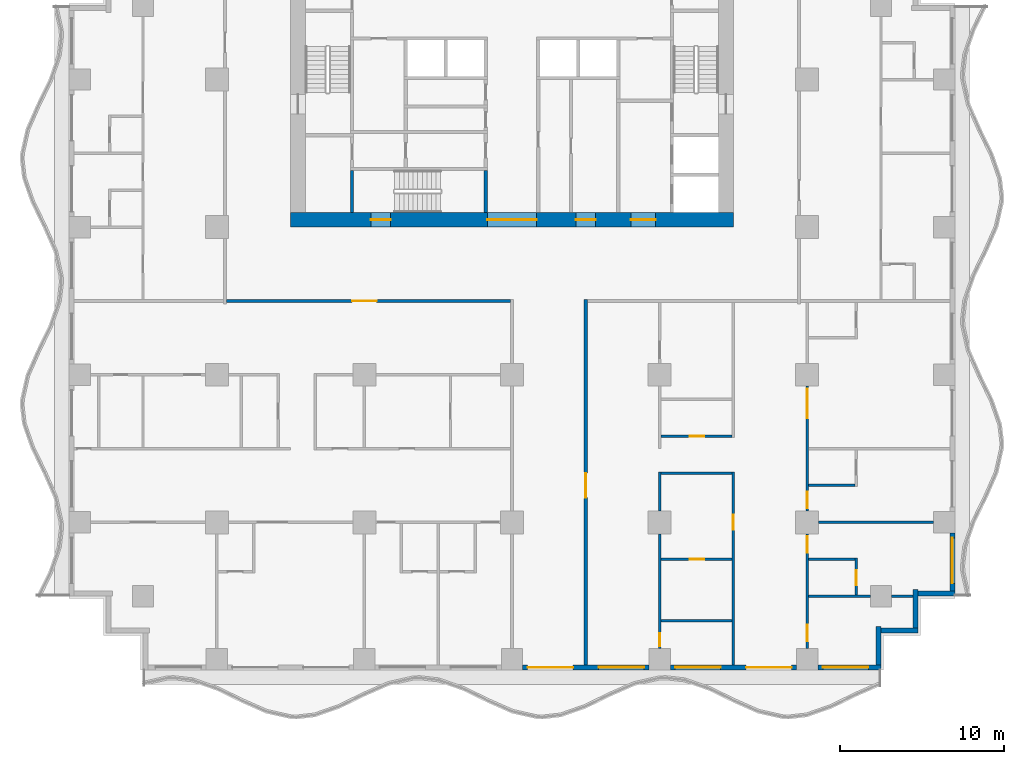
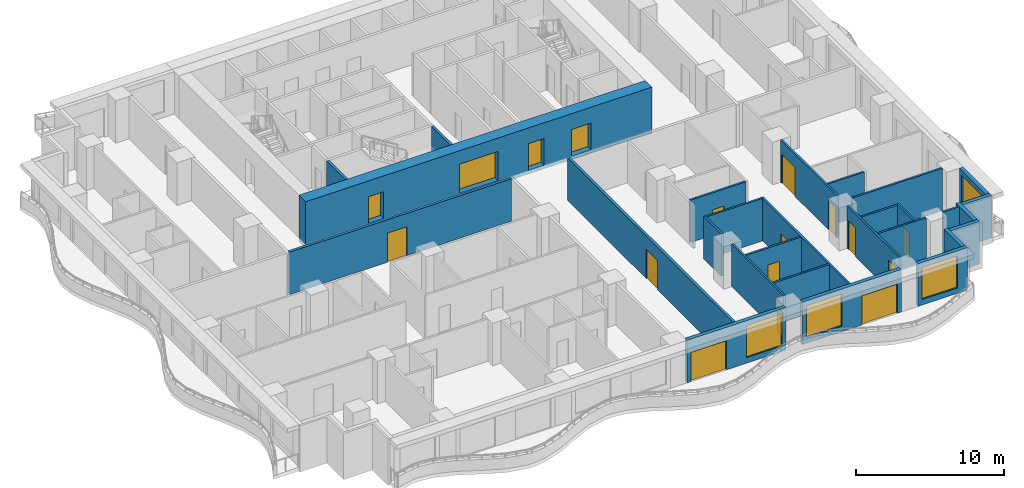
# One storey, part 3 of 13: 28 walls, 17 doors, 4 windows, 21 openings.
"""IFC4 building model written with IfcOpenShell, lengths in metres."""

from ifc_helpers import new_model, si_unit, direction, frame, frame_2d, origin, place, context, subcontext, project, spatial, rectangle, extrude, material, layer, layer_set, type_object, element, fill, save


model = new_model("IFC4")

# Units and contexts
model_context = context("Model", 3, precision=1e-05, world=origin(), true_north=direction((0.0, 1.0)))
body_context = subcontext(model_context, "Body", "Model", "MODEL_VIEW")
ifc_project = project(units=[si_unit("LENGTHUNIT", "METRE"), si_unit("AREAUNIT", "SQUARE_METRE"), si_unit("VOLUMEUNIT", "CUBIC_METRE"), si_unit("PLANEANGLEUNIT", "RADIAN"), si_unit("MASSUNIT", "GRAM", prefix="KILO")], contexts=[model_context])

# Site, building, storey
site_placement = place(None, origin())
site = spatial("IfcSite", under=ifc_project, at=site_placement, CompositionType="ELEMENT")
building_placement = place(site_placement, origin())
building = spatial("IfcBuilding", under=site, at=building_placement, Name="Orbiselva Terraces", CompositionType="ELEMENT")
storey_placement = place(building_placement, frame((0.0, 0.0, 96.0)))
storey = spatial("IfcBuildingStorey", under=building, at=storey_placement, Name="L24", CompositionType="ELEMENT", Elevation=96.0)

# Wall, openings, doors
ifc_material_1 = material(Name="Concrete C80/95", Category="concrete")
ifc_layer_1 = layer(ifc_material_1, 0.9)
ifc_layer_set_1 = layer_set([ifc_layer_1], Name="Concrete C80/95")
wall_type_1 = type_object("IfcWallType", Name="CORE WALL 900", PredefinedType="SHEAR", material=ifc_layer_set_1)
wall_1_placement = place(storey_placement, frame((-13.5, 4.95, -0.3), z_axis=(0.0, 0.0, 1.0), x_axis=(1.0, 0.0, 0.0)))
wall_1 = element("IfcWall", 1, at=wall_1_placement, inside=storey, type_object=wall_type_1, Name="Core wall L24 south", PredefinedType="SHEAR", context=body_context, shape_type="SweptSolid", body=[
    extrude(rectangle(XDim=27.0, YDim=0.9, at=frame_2d((13.5, 0.0))), origin(), (0.0, 0.0, 1.0), 3.8),
])
opening_1_placement = place(wall_1_placement, frame((12.0, 0.0, 0.3)))
opening_1 = element("IfcOpeningElement", 2, at=opening_1_placement, cuts=wall_1, Name="Opening DL3000", PredefinedType="OPENING", context=body_context, shape_type="SweptSolid", body=[
    extrude(rectangle(XDim=3.0, YDim=2.4, at=frame_2d((1.5, 1.2))), frame((0.0, 0.46, 0.0), z_axis=(0.0, -1.0, 0.0), x_axis=(1.0, 0.0, 0.0)), (0.0, 0.0, 1.0), 0.92),
])
opening_2_placement = place(wall_1_placement, frame((4.9, 0.0, 0.3)))
opening_2 = element("IfcOpeningElement", 3, at=opening_2_placement, cuts=wall_1, Name="Opening DS1200", PredefinedType="OPENING", context=body_context, shape_type="SweptSolid", body=[
    extrude(rectangle(XDim=1.2, YDim=2.2, at=frame_2d((0.6, 1.1))), frame((0.0, 0.46, 0.0), z_axis=(0.0, -1.0, 0.0), x_axis=(1.0, 0.0, 0.0)), (0.0, 0.0, 1.0), 0.92),
])
opening_3_placement = place(wall_1_placement, frame((20.75, 0.0, 0.3)))
opening_3 = element("IfcOpeningElement", 4, at=opening_3_placement, cuts=wall_1, Name="Opening DF1500", PredefinedType="OPENING", context=body_context, shape_type="SweptSolid", body=[
    extrude(rectangle(XDim=1.5, YDim=2.2, at=frame_2d((0.75, 1.1))), frame((0.0, 0.46, 0.0), z_axis=(0.0, -1.0, 0.0), x_axis=(1.0, 0.0, 0.0)), (0.0, 0.0, 1.0), 0.92),
])
opening_4_placement = place(wall_1_placement, frame((17.4, 0.0, 0.3)))
opening_4 = element("IfcOpeningElement", 5, at=opening_4_placement, cuts=wall_1, Name="Opening DV1200", PredefinedType="OPENING", context=body_context, shape_type="SweptSolid", body=[
    extrude(rectangle(XDim=1.2, YDim=2.2, at=frame_2d((0.6, 1.1))), frame((0.0, 0.46, 0.0), z_axis=(0.0, -1.0, 0.0), x_axis=(1.0, 0.0, 0.0)), (0.0, 0.0, 1.0), 0.92),
])
ifc_material_2 = material(Name="Steel fire door", Category="steel")
door_type_1 = type_object("IfcDoorType", Name="FFL DOOR 1500", OperationType="DOUBLE_DOOR_SINGLE_SWING", PredefinedType="DOOR", material=ifc_material_2)
door_1_placement = place(opening_3_placement, frame((1.5, 0.0, 0.0), z_axis=(0.0, 0.0, 1.0), x_axis=(-1.0, 0.0, 0.0)))
door_1 = element("IfcDoor", 6, at=door_1_placement, inside=storey, type_object=door_type_1, Name="L24 FIRE-FIGHTING LOBBY door", OperationType="DOUBLE_DOOR_SINGLE_SWING", OverallHeight=2.2, OverallWidth=1.5, PredefinedType="DOOR", context=body_context, shape_type="SweptSolid", body=[
    extrude(rectangle(XDim=1.5, YDim=2.2, at=frame_2d((0.75, 1.1))), frame((0.0, 0.025, 0.0), z_axis=(0.0, -1.0, 0.0), x_axis=(1.0, 0.0, 0.0)), (0.0, 0.0, 1.0), 0.05),
])
fill(opening_3, door_1)
door_type_2 = type_object("IfcDoorType", Name="LOBBY DOOR 3000", OperationType="DOUBLE_DOOR_SINGLE_SWING", PredefinedType="DOOR", material=ifc_material_2)
door_2_placement = place(opening_1_placement, frame((3.0, 0.0, 0.0), z_axis=(0.0, 0.0, 1.0), x_axis=(-1.0, 0.0, 0.0)))
door_2 = element("IfcDoor", 7, at=door_2_placement, inside=storey, type_object=door_type_2, Name="L24 LIFT LOBBY door", OperationType="DOUBLE_DOOR_SINGLE_SWING", OverallHeight=2.4, OverallWidth=3.0, PredefinedType="DOOR", context=body_context, shape_type="SweptSolid", body=[
    extrude(rectangle(XDim=3.0, YDim=2.4, at=frame_2d((1.5, 1.2))), frame((0.0, 0.025, 0.0), z_axis=(0.0, -1.0, 0.0), x_axis=(1.0, 0.0, 0.0)), (0.0, 0.0, 1.0), 0.05),
])
fill(opening_1, door_2)
door_type_3 = type_object("IfcDoorType", Name="SERVICE DOOR 1200", OperationType="NOTDEFINED", PredefinedType="DOOR", material=ifc_material_2)
door_3_placement = place(opening_4_placement, frame((1.2, 0.0, 0.0), z_axis=(0.0, 0.0, 1.0), x_axis=(-1.0, 0.0, 0.0)))
door_3 = element("IfcDoor", 8, at=door_3_placement, inside=storey, type_object=door_type_3, Name="L24 SERVICE ROOM door", OperationType="SINGLE_SWING_RIGHT", OverallHeight=2.2, OverallWidth=1.2, PredefinedType="DOOR", context=body_context, shape_type="SweptSolid", body=[
    extrude(rectangle(XDim=1.2, YDim=2.2, at=frame_2d((0.6, 1.1))), frame((0.0, 0.025, 0.0), z_axis=(0.0, -1.0, 0.0), x_axis=(1.0, 0.0, 0.0)), (0.0, 0.0, 1.0), 0.05),
])
fill(opening_4, door_3)
door_type_4 = type_object("IfcDoorType", Name="STAIR DOOR 1200", OperationType="NOTDEFINED", PredefinedType="DOOR", material=ifc_material_2)
door_4_placement = place(opening_2_placement, frame((1.2, 0.0, 0.0), z_axis=(0.0, 0.0, 1.0), x_axis=(-1.0, 0.0, 0.0)))
door_4 = element("IfcDoor", 9, at=door_4_placement, inside=storey, type_object=door_type_4, Name="L24 EXIT STAIR S3 door", OperationType="SINGLE_SWING_LEFT", OverallHeight=2.2, OverallWidth=1.2, PredefinedType="DOOR", context=body_context, shape_type="SweptSolid", body=[
    extrude(rectangle(XDim=1.2, YDim=2.2, at=frame_2d((0.6, 1.1))), frame((0.0, 0.025, 0.0), z_axis=(0.0, -1.0, 0.0), x_axis=(1.0, 0.0, 0.0)), (0.0, 0.0, 1.0), 0.05),
])
fill(opening_2, door_4)

# Walls
ifc_material_3 = material(Name="Concrete C60/75", Category="concrete")
ifc_layer_2 = layer(ifc_material_3, 0.2)
ifc_layer_set_2 = layer_set([ifc_layer_2], Name="Concrete C60/75")
wall_type_2 = type_object("IfcWallType", Name="CORE-WALL-SHEAR-200", PredefinedType="SHEAR", material=ifc_layer_set_2)
for number, where, z_axis, x_axis, name in (
    (10, (-9.75, 5.4, 0.0), (0.0, 0.0, 1.0), (0.0, 1.0, 0.0), "L24 core wall 03"),
    (11, (-1.6, 5.4, 0.0), (0.0, 0.0, 1.0), (0.0, 1.0, 0.0), "L24 core wall 23"),
):
    element("IfcWall", number, at=place(storey_placement, frame(where, z_axis=z_axis, x_axis=x_axis)), inside=storey, type_object=wall_type_2, Name=name, PredefinedType="SHEAR", context=body_context, shape_type="SweptSolid", body=[
        extrude(rectangle(XDim=2.55, YDim=0.2, at=frame_2d((1.275, 0.0))), origin(), (0.0, 0.0, 1.0), 3.5),
    ])

# Wall, openings, door, window
ifc_material_4 = material(Name="Terracotta cladding on masonry backing", Category="masonry")
ifc_layer_3 = layer(ifc_material_4, 0.3)
ifc_layer_set_3 = layer_set([ifc_layer_3], Name="Terracotta cladding on masonry backing")
wall_type_3 = type_object("IfcWallType", Name="ENV-WALL-TERRACOTTA-300", PredefinedType="SOLIDWALL", material=ifc_layer_set_3)
wall_2_placement = place(storey_placement, frame((8.35, -22.35, 0.0), z_axis=(0.0, 0.0, 1.0), x_axis=(-1.0, 0.0, 0.0)))
wall_2 = element("IfcWall", 12, at=wall_2_placement, inside=storey, type_object=wall_type_3, Name="Facade wall L24 S", PredefinedType="SOLIDWALL", context=body_context, shape_type="SweptSolid", body=[
    extrude(rectangle(XDim=7.7, YDim=0.3, at=frame_2d((3.85, 0.0))), origin(), (0.0, 0.0, 1.0), 3.5),
])
opening_5_placement = place(wall_2_placement, frame((4.625, 0.0, 0.0)))
opening_5 = element("IfcOpeningElement", 13, at=opening_5_placement, cuts=wall_2, Name="Opening Z2-C-E02", PredefinedType="OPENING", context=body_context, shape_type="SweptSolid", body=[
    extrude(rectangle(XDim=2.775, YDim=2.4, at=frame_2d((1.3875, 1.2))), frame((0.0, 0.16, 0.0), z_axis=(0.0, -1.0, 0.0), x_axis=(1.0, 0.0, 0.0)), (0.0, 0.0, 1.0), 0.32),
])
opening_6_placement = place(wall_2_placement, frame((0.3, 0.0, 0.45)))
opening_6 = element("IfcOpeningElement", 14, at=opening_6_placement, cuts=wall_2, Name="Opening WN6", PredefinedType="OPENING", context=body_context, shape_type="SweptSolid", body=[
    extrude(rectangle(XDim=2.775, YDim=2.65, at=frame_2d((1.3875, 1.325))), frame((0.0, 0.16, 0.0), z_axis=(0.0, -1.0, 0.0), x_axis=(1.0, 0.0, 0.0)), (0.0, 0.0, 1.0), 0.32),
])
ifc_material_5 = material(Name="Clear low-e glazing in aluminium frame", Category="aluminium")
door_type_5 = type_object("IfcDoorType", Name="BALCONY DOOR 2775 X 2400", OperationType="DOUBLE_DOOR_SLIDING", PredefinedType="DOOR", material=ifc_material_5)
door_5_placement = place(opening_5_placement, origin())
door_5 = element("IfcDoor", 15, at=door_5_placement, inside=storey, type_object=door_type_5, Name="Z2-C-E02", OperationType="SINGLE_SWING_LEFT", OverallHeight=2.4, OverallWidth=2.775, PredefinedType="DOOR", context=body_context, shape_type="SweptSolid", body=[
    extrude(rectangle(XDim=2.775, YDim=2.4, at=frame_2d((1.3875, 1.2))), frame((0.0, 0.025, 0.0), z_axis=(0.0, -1.0, 0.0), x_axis=(1.0, 0.0, 0.0)), (0.0, 0.0, 1.0), 0.05),
])
fill(opening_5, door_5)
window_type = type_object("IfcWindowType", Name="WINDOW 2775 X 2650 S450", PartitioningType="TRIPLE_PANEL_VERTICAL", PredefinedType="WINDOW", material=ifc_material_5)
window_1_placement = place(opening_6_placement, origin())
window_1 = element("IfcWindow", 16, at=window_1_placement, inside=storey, type_object=window_type, Name="Window L24 S", OverallHeight=2.65, OverallWidth=2.775, PartitioningType="SINGLE_PANEL", PredefinedType="WINDOW", context=body_context, shape_type="SweptSolid", body=[
    extrude(rectangle(XDim=2.775, YDim=2.65, at=frame_2d((1.3875, 1.325))), frame((0.0, 0.03, 0.0), z_axis=(0.0, -1.0, 0.0), x_axis=(1.0, 0.0, 0.0)), (0.0, 0.0, 1.0), 0.06),
])
fill(opening_6, window_1)

wall_3_placement = place(storey_placement, frame((17.35, -22.35, 0.0), z_axis=(0.0, 0.0, 1.0), x_axis=(-1.0, 0.0, 0.0)))
wall_3 = element("IfcWall", 17, at=wall_3_placement, inside=storey, type_object=wall_type_3, Name="Facade wall L24 S", PredefinedType="SOLIDWALL", context=body_context, shape_type="SweptSolid", body=[
    extrude(rectangle(XDim=7.7, YDim=0.3, at=frame_2d((3.85, 0.0))), origin(), (0.0, 0.0, 1.0), 3.5),
])
opening_7_placement = place(wall_3_placement, frame((4.625, 0.0, 0.45)))
opening_7 = element("IfcOpeningElement", 18, at=opening_7_placement, cuts=wall_3, Name="Opening WN6", PredefinedType="OPENING", context=body_context, shape_type="SweptSolid", body=[
    extrude(rectangle(XDim=2.775, YDim=2.65, at=frame_2d((1.3875, 1.325))), frame((0.0, 0.16, 0.0), z_axis=(0.0, -1.0, 0.0), x_axis=(1.0, 0.0, 0.0)), (0.0, 0.0, 1.0), 0.32),
])
opening_8_placement = place(wall_3_placement, frame((0.3, 0.0, 0.0)))
opening_8 = element("IfcOpeningElement", 19, at=opening_8_placement, cuts=wall_3, Name="Opening Z2-C-E11", PredefinedType="OPENING", context=body_context, shape_type="SweptSolid", body=[
    extrude(rectangle(XDim=2.775, YDim=2.4, at=frame_2d((1.3875, 1.2))), frame((0.0, 0.16, 0.0), z_axis=(0.0, -1.0, 0.0), x_axis=(1.0, 0.0, 0.0)), (0.0, 0.0, 1.0), 0.32),
])
door_6_placement = place(opening_8_placement, origin())
door_6 = element("IfcDoor", 20, at=door_6_placement, inside=storey, type_object=door_type_5, Name="Z2-C-E11", OperationType="SINGLE_SWING_LEFT", OverallHeight=2.4, OverallWidth=2.775, PredefinedType="DOOR", context=body_context, shape_type="SweptSolid", body=[
    extrude(rectangle(XDim=2.775, YDim=2.4, at=frame_2d((1.3875, 1.2))), frame((0.0, 0.025, 0.0), z_axis=(0.0, -1.0, 0.0), x_axis=(1.0, 0.0, 0.0)), (0.0, 0.0, 1.0), 0.05),
])
fill(opening_8, door_6)
window_2_placement = place(opening_7_placement, origin())
window_2 = element("IfcWindow", 21, at=window_2_placement, inside=storey, type_object=window_type, Name="Window L24 S", OverallHeight=2.65, OverallWidth=2.775, PartitioningType="SINGLE_PANEL", PredefinedType="WINDOW", context=body_context, shape_type="SweptSolid", body=[
    extrude(rectangle(XDim=2.775, YDim=2.65, at=frame_2d((1.3875, 1.325))), frame((0.0, 0.03, 0.0), z_axis=(0.0, -1.0, 0.0), x_axis=(1.0, 0.0, 0.0)), (0.0, 0.0, 1.0), 0.06),
])
fill(opening_7, window_2)

# Wall, opening, window
wall_4_placement = place(storey_placement, frame((22.5, -22.35, 0.0), z_axis=(0.0, 0.0, 1.0), x_axis=(-1.0, 0.0, 0.0)))
wall_4 = element("IfcWall", 22, at=wall_4_placement, inside=storey, type_object=wall_type_3, Name="Facade wall L24 S", PredefinedType="SOLIDWALL", context=body_context, shape_type="SweptSolid", body=[
    extrude(rectangle(XDim=3.85, YDim=0.3, at=frame_2d((1.925, 0.0))), origin(), (0.0, 0.0, 1.0), 3.5),
])
opening_9_placement = place(wall_4_placement, frame((0.775, 0.0, 0.45)))
opening_9 = element("IfcOpeningElement", 23, at=opening_9_placement, cuts=wall_4, Name="Opening WN6", PredefinedType="OPENING", context=body_context, shape_type="SweptSolid", body=[
    extrude(rectangle(XDim=2.775, YDim=2.65, at=frame_2d((1.3875, 1.325))), frame((0.0, 0.16, 0.0), z_axis=(0.0, -1.0, 0.0), x_axis=(1.0, 0.0, 0.0)), (0.0, 0.0, 1.0), 0.32),
])
window_3_placement = place(opening_9_placement, origin())
window_3 = element("IfcWindow", 24, at=window_3_placement, inside=storey, type_object=window_type, Name="Window L24 S", OverallHeight=2.65, OverallWidth=2.775, PartitioningType="SINGLE_PANEL", PredefinedType="WINDOW", context=body_context, shape_type="SweptSolid", body=[
    extrude(rectangle(XDim=2.775, YDim=2.65, at=frame_2d((1.3875, 1.325))), frame((0.0, 0.03, 0.0), z_axis=(0.0, -1.0, 0.0), x_axis=(1.0, 0.0, 0.0)), (0.0, 0.0, 1.0), 0.06),
])
fill(opening_9, window_3)

# Walls
wall_5_placement = place(storey_placement, frame((22.35, -19.85, 0.0), z_axis=(0.0, 0.0, 1.0), x_axis=(0.0, -1.0, 0.0)))
element("IfcWall", 25, at=wall_5_placement, inside=storey, type_object=wall_type_3, Name="Facade wall L24 STEP", PredefinedType="SOLIDWALL", context=body_context, shape_type="SweptSolid", body=[
    extrude(rectangle(XDim=2.35, YDim=0.3, at=frame_2d((1.175, 0.0))), origin(), (0.0, 0.0, 1.0), 3.5),
])
wall_6_placement = place(storey_placement, frame((24.75, -20.1, 0.0), z_axis=(0.0, 0.0, 1.0), x_axis=(-1.0, 0.0, 0.0)))
element("IfcWall", 26, at=wall_6_placement, inside=storey, type_object=wall_type_3, Name="Facade wall L24 STEP", PredefinedType="SOLIDWALL", context=body_context, shape_type="SweptSolid", body=[
    extrude(rectangle(XDim=2.25, YDim=0.3, at=frame_2d((1.125, 0.0))), origin(), (0.0, 0.0, 1.0), 3.5),
])
wall_7_placement = place(storey_placement, frame((24.6, -17.6, 0.0), z_axis=(0.0, 0.0, 1.0), x_axis=(0.0, -1.0, 0.0)))
element("IfcWall", 27, at=wall_7_placement, inside=storey, type_object=wall_type_3, Name="Facade wall L24 STEP", PredefinedType="SOLIDWALL", context=body_context, shape_type="SweptSolid", body=[
    extrude(rectangle(XDim=2.35, YDim=0.3, at=frame_2d((1.175, 0.0))), origin(), (0.0, 0.0, 1.0), 3.5),
])
wall_8_placement = place(storey_placement, frame((27.0, -17.85, 0.0), z_axis=(0.0, 0.0, 1.0), x_axis=(-1.0, 0.0, 0.0)))
element("IfcWall", 28, at=wall_8_placement, inside=storey, type_object=wall_type_3, Name="Facade wall L24 STEP", PredefinedType="SOLIDWALL", context=body_context, shape_type="SweptSolid", body=[
    extrude(rectangle(XDim=2.25, YDim=0.3, at=frame_2d((1.125, 0.0))), origin(), (0.0, 0.0, 1.0), 3.5),
])

# Wall, opening, window
wall_9_placement = place(storey_placement, frame((26.85, -14.15, 0.0), z_axis=(0.0, 0.0, 1.0), x_axis=(0.0, -1.0, 0.0)))
wall_9 = element("IfcWall", 29, at=wall_9_placement, inside=storey, type_object=wall_type_3, Name="Facade wall L24 E", PredefinedType="SOLIDWALL", context=body_context, shape_type="SweptSolid", body=[
    extrude(rectangle(XDim=3.55, YDim=0.3, at=frame_2d((1.775, 0.0))), origin(), (0.0, 0.0, 1.0), 3.5),
])
opening_10_placement = place(wall_9_placement, frame((0.3, 0.0, 0.45)))
opening_10 = element("IfcOpeningElement", 30, at=opening_10_placement, cuts=wall_9, Name="Opening WN6", PredefinedType="OPENING", context=body_context, shape_type="SweptSolid", body=[
    extrude(rectangle(XDim=2.775, YDim=2.65, at=frame_2d((1.3875, 1.325))), frame((0.0, 0.16, 0.0), z_axis=(0.0, -1.0, 0.0), x_axis=(1.0, 0.0, 0.0)), (0.0, 0.0, 1.0), 0.32),
])
window_4_placement = place(opening_10_placement, origin())
window_4 = element("IfcWindow", 31, at=window_4_placement, inside=storey, type_object=window_type, Name="Window L24 E", OverallHeight=2.65, OverallWidth=2.775, PartitioningType="SINGLE_PANEL", PredefinedType="WINDOW", context=body_context, shape_type="SweptSolid", body=[
    extrude(rectangle(XDim=2.775, YDim=2.65, at=frame_2d((1.3875, 1.325))), frame((0.0, 0.03, 0.0), z_axis=(0.0, -1.0, 0.0), x_axis=(1.0, 0.0, 0.0)), (0.0, 0.0, 1.0), 0.06),
])
fill(opening_10, window_4)

# Wall, opening, door
ifc_material_6 = material(Name="Plasterboard on steel stud partition", Category="steel")
ifc_layer_4 = layer(ifc_material_6, 0.2)
ifc_layer_set_4 = layer_set([ifc_layer_4], Name="Plasterboard on steel stud partition")
wall_type_4 = type_object("IfcWallType", Name="UNIT-ENTRANCE-WALL-200", PredefinedType="PARTITIONING", material=ifc_layer_set_4)
wall_10_placement = place(storey_placement, frame((-0.1, 0.0, 0.0), z_axis=(0.0, 0.0, 1.0), x_axis=(-1.0, 0.0, 0.0)))
wall_10 = element("IfcWall", 32, at=wall_10_placement, inside=storey, type_object=wall_type_4, Name="PARTITION L24-025", PredefinedType="PARTITIONING", context=body_context, shape_type="SweptSolid", body=[
    extrude(rectangle(XDim=17.3, YDim=0.2, at=frame_2d((8.65, 0.0))), origin(), (0.0, 0.0, 1.0), 3.5),
])
opening_11_placement = place(wall_10_placement, frame((8.15, 0.0, 0.0)))
opening_11 = element("IfcOpeningElement", 33, at=opening_11_placement, cuts=wall_10, Name="Opening Z2-C-13", PredefinedType="OPENING", context=body_context, shape_type="SweptSolid", body=[
    extrude(rectangle(XDim=1.5, YDim=2.4, at=frame_2d((0.75, 1.2))), frame((0.0, 0.11, 0.0), z_axis=(0.0, -1.0, 0.0), x_axis=(1.0, 0.0, 0.0)), (0.0, 0.0, 1.0), 0.22),
])
ifc_material_7 = material(Name="Painted timber door leaf", Category="wood")
door_type_6 = type_object("IfcDoorType", Name="ENTRANCE DOUBLE DOOR 1500", OperationType="NOTDEFINED", PredefinedType="DOOR", material=ifc_material_7)
door_7_placement = place(opening_11_placement, origin())
door_7 = element("IfcDoor", 34, at=door_7_placement, inside=storey, type_object=door_type_6, Name="Z2-C-13", OperationType="DOUBLE_DOOR_SINGLE_SWING", OverallHeight=2.4, OverallWidth=1.5, PredefinedType="DOOR", context=body_context, shape_type="SweptSolid", body=[
    extrude(rectangle(XDim=1.5, YDim=2.4, at=frame_2d((0.75, 1.2))), frame((0.0, 0.025, 0.0), z_axis=(0.0, -1.0, 0.0), x_axis=(1.0, 0.0, 0.0)), (0.0, 0.0, 1.0), 0.05),
])
fill(opening_11, door_7)

wall_11_placement = place(storey_placement, frame((4.5, 0.1, 0.0), z_axis=(0.0, 0.0, 1.0), x_axis=(0.0, -1.0, 0.0)))
wall_11 = element("IfcWall", 35, at=wall_11_placement, inside=storey, type_object=wall_type_4, Name="PARTITION L24-060", PredefinedType="PARTITIONING", context=body_context, shape_type="SweptSolid", body=[
    extrude(rectangle(XDim=22.3, YDim=0.2, at=frame_2d((11.15, 0.0))), origin(), (0.0, 0.0, 1.0), 3.5),
])
opening_12_placement = place(wall_11_placement, frame((10.6, 0.0, 0.0)))
opening_12 = element("IfcOpeningElement", 36, at=opening_12_placement, cuts=wall_11, Name="Opening Z2-C-28", PredefinedType="OPENING", context=body_context, shape_type="SweptSolid", body=[
    extrude(rectangle(XDim=1.5, YDim=2.4, at=frame_2d((0.75, 1.2))), frame((0.0, 0.11, 0.0), z_axis=(0.0, -1.0, 0.0), x_axis=(1.0, 0.0, 0.0)), (0.0, 0.0, 1.0), 0.22),
])
door_8_placement = place(opening_12_placement, origin())
door_8 = element("IfcDoor", 37, at=door_8_placement, inside=storey, type_object=door_type_6, Name="Z2-C-28", OperationType="DOUBLE_DOOR_SINGLE_SWING", OverallHeight=2.4, OverallWidth=1.5, PredefinedType="DOOR", context=body_context, shape_type="SweptSolid", body=[
    extrude(rectangle(XDim=1.5, YDim=2.4, at=frame_2d((0.75, 1.2))), frame((0.0, 0.025, 0.0), z_axis=(0.0, -1.0, 0.0), x_axis=(1.0, 0.0, 0.0)), (0.0, 0.0, 1.0), 0.05),
])
fill(opening_12, door_8)

# Walls
ifc_layer_5 = layer(ifc_material_6, 0.15)
ifc_layer_set_5 = layer_set([ifc_layer_5], Name="Plasterboard on steel stud partition")
wall_type_5 = type_object("IfcWallType", Name="UNIT-PARTITION-150", PredefinedType="PARTITIONING", material=ifc_layer_set_5)
wall_12_placement = place(storey_placement, frame((9.075, -19.5, 0.0), z_axis=(0.0, 0.0, 1.0), x_axis=(1.0, 0.0, 0.0)))
element("IfcWall", 38, at=wall_12_placement, inside=storey, type_object=wall_type_5, Name="PARTITION L24-001", PredefinedType="PARTITIONING", context=body_context, shape_type="SweptSolid", body=[
    extrude(rectangle(XDim=4.35, YDim=0.15, at=frame_2d((2.175, 0.0))), origin(), (0.0, 0.0, 1.0), 3.5),
])
wall_13_placement = place(storey_placement, frame((18.075, -18.0, 0.0), z_axis=(0.0, 0.0, 1.0), x_axis=(1.0, 0.0, 0.0)))
element("IfcWall", 39, at=wall_13_placement, inside=storey, type_object=wall_type_5, Name="PARTITION L24-002", PredefinedType="PARTITIONING", context=body_context, shape_type="SweptSolid", body=[
    extrude(rectangle(XDim=3.775, YDim=0.15, at=frame_2d((1.8875, 0.0))), origin(), (0.0, 0.0, 1.0), 3.5),
])
wall_14_placement = place(storey_placement, frame((23.15, -18.0, 0.0), z_axis=(0.0, 0.0, 1.0), x_axis=(1.0, 0.0, 0.0)))
element("IfcWall", 40, at=wall_14_placement, inside=storey, type_object=wall_type_5, Name="PARTITION L24-003", PredefinedType="PARTITIONING", context=body_context, shape_type="SweptSolid", body=[
    extrude(rectangle(XDim=1.3, YDim=0.15, at=frame_2d((0.65, 0.0))), origin(), (0.0, 0.0, 1.0), 3.5),
])

# Wall, opening, door
wall_15_placement = place(storey_placement, frame((13.425, -15.75, 0.0), z_axis=(0.0, 0.0, 1.0), x_axis=(-1.0, 0.0, 0.0)))
wall_15 = element("IfcWall", 41, at=wall_15_placement, inside=storey, type_object=wall_type_5, Name="PARTITION L24-007", PredefinedType="PARTITIONING", context=body_context, shape_type="SweptSolid", body=[
    extrude(rectangle(XDim=4.35, YDim=0.15, at=frame_2d((2.175, 0.0))), origin(), (0.0, 0.0, 1.0), 3.5),
])
opening_13_placement = place(wall_15_placement, frame((1.7, 0.0, 0.0)))
opening_13 = element("IfcOpeningElement", 42, at=opening_13_placement, cuts=wall_15, Name="Opening Z2-C-32", PredefinedType="OPENING", context=body_context, shape_type="SweptSolid", body=[
    extrude(rectangle(XDim=0.9, YDim=2.1, at=frame_2d((0.45, 1.05))), frame((0.0, 0.085, 0.0), z_axis=(0.0, -1.0, 0.0), x_axis=(1.0, 0.0, 0.0)), (0.0, 0.0, 1.0), 0.17),
])
door_type_7 = type_object("IfcDoorType", Name="BATH DOOR 900", OperationType="NOTDEFINED", PredefinedType="DOOR", material=ifc_material_7)
door_9_placement = place(opening_13_placement, origin())
door_9 = element("IfcDoor", 43, at=door_9_placement, inside=storey, type_object=door_type_7, Name="Z2-C-32", OperationType="SINGLE_SWING_LEFT", OverallHeight=2.1, OverallWidth=0.9, PredefinedType="DOOR", context=body_context, shape_type="SweptSolid", body=[
    extrude(rectangle(XDim=0.9, YDim=2.1, at=frame_2d((0.45, 1.05))), frame((0.0, 0.025, 0.0), z_axis=(0.0, -1.0, 0.0), x_axis=(1.0, 0.0, 0.0)), (0.0, 0.0, 1.0), 0.05),
])
fill(opening_13, door_9)

# Walls
wall_16_placement = place(storey_placement, frame((18.075, -15.75, 0.0), z_axis=(0.0, 0.0, 1.0), x_axis=(1.0, 0.0, 0.0)))
element("IfcWall", 44, at=wall_16_placement, inside=storey, type_object=wall_type_5, Name="PARTITION L24-008", PredefinedType="PARTITIONING", context=body_context, shape_type="SweptSolid", body=[
    extrude(rectangle(XDim=2.85, YDim=0.15, at=frame_2d((1.425, 0.0))), origin(), (0.0, 0.0, 1.0), 3.5),
])
wall_17_placement = place(storey_placement, frame((18.7, -13.5, 0.0), z_axis=(0.0, 0.0, 1.0), x_axis=(1.0, 0.0, 0.0)))
element("IfcWall", 45, at=wall_17_placement, inside=storey, type_object=wall_type_5, Name="PARTITION L24-012", PredefinedType="PARTITIONING", context=body_context, shape_type="SweptSolid", body=[
    extrude(rectangle(XDim=7.0, YDim=0.15, at=frame_2d((3.5, 0.0))), origin(), (0.0, 0.0, 1.0), 3.5),
])
wall_18_placement = place(storey_placement, frame((18.075, -11.25, 0.0), z_axis=(0.0, 0.0, 1.0), x_axis=(1.0, 0.0, 0.0)))
element("IfcWall", 46, at=wall_18_placement, inside=storey, type_object=wall_type_5, Name="PARTITION L24-013", PredefinedType="PARTITIONING", context=body_context, shape_type="SweptSolid", body=[
    extrude(rectangle(XDim=2.85, YDim=0.15, at=frame_2d((1.425, 0.0))), origin(), (0.0, 0.0, 1.0), 3.5),
])
wall_19_placement = place(storey_placement, frame((9.075, -10.5, 0.0), z_axis=(0.0, 0.0, 1.0), x_axis=(1.0, 0.0, 0.0)))
element("IfcWall", 47, at=wall_19_placement, inside=storey, type_object=wall_type_5, Name="PARTITION L24-014", PredefinedType="PARTITIONING", context=body_context, shape_type="SweptSolid", body=[
    extrude(rectangle(XDim=4.35, YDim=0.15, at=frame_2d((2.175, 0.0))), origin(), (0.0, 0.0, 1.0), 3.5),
])

# Wall, opening, door
wall_20_placement = place(storey_placement, frame((9.075, -8.25, 0.0), z_axis=(0.0, 0.0, 1.0), x_axis=(1.0, 0.0, 0.0)))
wall_20 = element("IfcWall", 48, at=wall_20_placement, inside=storey, type_object=wall_type_5, Name="PARTITION L24-018", PredefinedType="PARTITIONING", context=body_context, shape_type="SweptSolid", body=[
    extrude(rectangle(XDim=4.35, YDim=0.15, at=frame_2d((2.175, 0.0))), origin(), (0.0, 0.0, 1.0), 3.5),
])
opening_14_placement = place(wall_20_placement, frame((1.75, 0.0, 0.0)))
opening_14 = element("IfcOpeningElement", 49, at=opening_14_placement, cuts=wall_20, Name="Opening Z2-C-30", PredefinedType="OPENING", context=body_context, shape_type="SweptSolid", body=[
    extrude(rectangle(XDim=0.9, YDim=2.1, at=frame_2d((0.45, 1.05))), frame((0.0, 0.085, 0.0), z_axis=(0.0, -1.0, 0.0), x_axis=(1.0, 0.0, 0.0)), (0.0, 0.0, 1.0), 0.17),
])
door_10_placement = place(opening_14_placement, origin())
door_10 = element("IfcDoor", 50, at=door_10_placement, inside=storey, type_object=door_type_7, Name="Z2-C-30", OperationType="SINGLE_SWING_RIGHT", OverallHeight=2.1, OverallWidth=0.9, PredefinedType="DOOR", context=body_context, shape_type="SweptSolid", body=[
    extrude(rectangle(XDim=0.9, YDim=2.1, at=frame_2d((0.45, 1.05))), frame((0.0, 0.025, 0.0), z_axis=(0.0, -1.0, 0.0), x_axis=(1.0, 0.0, 0.0)), (0.0, 0.0, 1.0), 0.05),
])
fill(opening_14, door_10)

wall_21_placement = place(storey_placement, frame((9.0, -14.2, 0.0), z_axis=(0.0, 0.0, 1.0), x_axis=(0.0, -1.0, 0.0)))
wall_21 = element("IfcWall", 51, at=wall_21_placement, inside=storey, type_object=wall_type_5, Name="PARTITION L24-061", PredefinedType="PARTITIONING", context=body_context, shape_type="SweptSolid", body=[
    extrude(rectangle(XDim=7.0, YDim=0.15, at=frame_2d((3.5, 0.0))), origin(), (0.0, 0.0, 1.0), 3.5),
])
opening_15_placement = place(wall_21_placement, frame((6.05, 0.0, 0.0)))
opening_15 = element("IfcOpeningElement", 52, at=opening_15_placement, cuts=wall_21, Name="Opening Z2-C-33", PredefinedType="OPENING", context=body_context, shape_type="SweptSolid", body=[
    extrude(rectangle(XDim=0.8, YDim=2.0, at=frame_2d((0.4, 1.0))), frame((0.0, 0.085, 0.0), z_axis=(0.0, -1.0, 0.0), x_axis=(1.0, 0.0, 0.0)), (0.0, 0.0, 1.0), 0.17),
])
door_type_8 = type_object("IfcDoorType", Name="STORE DOOR 800", OperationType="NOTDEFINED", PredefinedType="DOOR", material=ifc_material_7)
door_11_placement = place(opening_15_placement, origin())
door_11 = element("IfcDoor", 53, at=door_11_placement, inside=storey, type_object=door_type_8, Name="Z2-C-33", OperationType="SINGLE_SWING_RIGHT", OverallHeight=2.0, OverallWidth=0.8, PredefinedType="DOOR", context=body_context, shape_type="SweptSolid", body=[
    extrude(rectangle(XDim=0.8, YDim=2.0, at=frame_2d((0.4, 1.0))), frame((0.0, 0.025, 0.0), z_axis=(0.0, -1.0, 0.0), x_axis=(1.0, 0.0, 0.0)), (0.0, 0.0, 1.0), 0.05),
])
fill(opening_15, door_11)

# Wall
wall_22_placement = place(storey_placement, frame((9.0, -12.8, 0.0), z_axis=(0.0, 0.0, 1.0), x_axis=(0.0, 1.0, 0.0)))
element("IfcWall", 54, at=wall_22_placement, inside=storey, type_object=wall_type_5, Name="PARTITION L24-062", PredefinedType="PARTITIONING", context=body_context, shape_type="SweptSolid", body=[
    extrude(rectangle(XDim=2.375, YDim=0.15, at=frame_2d((1.1875, 0.0))), origin(), (0.0, 0.0, 1.0), 3.5),
])

# Wall, opening, door
wall_23_placement = place(storey_placement, frame((13.5, -22.2, 0.0), z_axis=(0.0, 0.0, 1.0), x_axis=(0.0, 1.0, 0.0)))
wall_23 = element("IfcWall", 55, at=wall_23_placement, inside=storey, type_object=wall_type_5, Name="PARTITION L24-065", PredefinedType="PARTITIONING", context=body_context, shape_type="SweptSolid", body=[
    extrude(rectangle(XDim=11.775, YDim=0.15, at=frame_2d((5.8875, 0.0))), origin(), (0.0, 0.0, 1.0), 3.5),
])
opening_16_placement = place(wall_23_placement, frame((8.25, 0.0, 0.0)))
opening_16 = element("IfcOpeningElement", 56, at=opening_16_placement, cuts=wall_23, Name="Opening Z2-C-31", PredefinedType="OPENING", context=body_context, shape_type="SweptSolid", body=[
    extrude(rectangle(XDim=0.9, YDim=2.1, at=frame_2d((0.45, 1.05))), frame((0.0, 0.085, 0.0), z_axis=(0.0, -1.0, 0.0), x_axis=(1.0, 0.0, 0.0)), (0.0, 0.0, 1.0), 0.17),
])
door_type_9 = type_object("IfcDoorType", Name="SERVICE DOOR 900", OperationType="NOTDEFINED", PredefinedType="DOOR", material=ifc_material_7)
door_12_placement = place(opening_16_placement, origin())
door_12 = element("IfcDoor", 57, at=door_12_placement, inside=storey, type_object=door_type_9, Name="Z2-C-31", OperationType="SINGLE_SWING_RIGHT", OverallHeight=2.1, OverallWidth=0.9, PredefinedType="DOOR", context=body_context, shape_type="SweptSolid", body=[
    extrude(rectangle(XDim=0.9, YDim=2.1, at=frame_2d((0.45, 1.05))), frame((0.0, 0.025, 0.0), z_axis=(0.0, -1.0, 0.0), x_axis=(1.0, 0.0, 0.0)), (0.0, 0.0, 1.0), 0.05),
])
fill(opening_16, door_12)

# Wall, openings, doors
wall_24_placement = place(storey_placement, frame((18.0, -14.2, 0.0), z_axis=(0.0, 0.0, 1.0), x_axis=(0.0, -1.0, 0.0)))
wall_24 = element("IfcWall", 58, at=wall_24_placement, inside=storey, type_object=wall_type_5, Name="PARTITION L24-070", PredefinedType="PARTITIONING", context=body_context, shape_type="SweptSolid", body=[
    extrude(rectangle(XDim=7.0, YDim=0.15, at=frame_2d((3.5, 0.0))), origin(), (0.0, 0.0, 1.0), 3.5),
])
opening_17_placement = place(wall_24_placement, frame((0.15, 0.0, 0.0)))
opening_17 = element("IfcOpeningElement", 59, at=opening_17_placement, cuts=wall_24, Name="Opening Z2-C-38", PredefinedType="OPENING", context=body_context, shape_type="SweptSolid", body=[
    extrude(rectangle(XDim=1.0, YDim=2.4, at=frame_2d((0.5, 1.2))), frame((0.0, 0.085, 0.0), z_axis=(0.0, -1.0, 0.0), x_axis=(1.0, 0.0, 0.0)), (0.0, 0.0, 1.0), 0.17),
])
opening_18_placement = place(wall_24_placement, frame((5.55, 0.0, 0.0)))
opening_18 = element("IfcOpeningElement", 60, at=opening_18_placement, cuts=wall_24, Name="Opening Z2-C-40", PredefinedType="OPENING", context=body_context, shape_type="SweptSolid", body=[
    extrude(rectangle(XDim=1.0, YDim=2.4, at=frame_2d((0.5, 1.2))), frame((0.0, 0.085, 0.0), z_axis=(0.0, -1.0, 0.0), x_axis=(1.0, 0.0, 0.0)), (0.0, 0.0, 1.0), 0.17),
])
door_type_10 = type_object("IfcDoorType", Name="ROOM DOOR 1000", OperationType="NOTDEFINED", PredefinedType="DOOR", material=ifc_material_7)
door_13_placement = place(opening_17_placement, origin())
door_13 = element("IfcDoor", 61, at=door_13_placement, inside=storey, type_object=door_type_10, Name="Z2-C-38", OperationType="SINGLE_SWING_LEFT", OverallHeight=2.4, OverallWidth=1.0, PredefinedType="DOOR", context=body_context, shape_type="SweptSolid", body=[
    extrude(rectangle(XDim=1.0, YDim=2.4, at=frame_2d((0.5, 1.2))), frame((0.0, 0.025, 0.0), z_axis=(0.0, -1.0, 0.0), x_axis=(1.0, 0.0, 0.0)), (0.0, 0.0, 1.0), 0.05),
])
fill(opening_17, door_13)
door_14_placement = place(opening_18_placement, origin())
door_14 = element("IfcDoor", 62, at=door_14_placement, inside=storey, type_object=door_type_10, Name="Z2-C-40", OperationType="SINGLE_SWING_RIGHT", OverallHeight=2.4, OverallWidth=1.0, PredefinedType="DOOR", context=body_context, shape_type="SweptSolid", body=[
    extrude(rectangle(XDim=1.0, YDim=2.4, at=frame_2d((0.5, 1.2))), frame((0.0, 0.025, 0.0), z_axis=(0.0, -1.0, 0.0), x_axis=(1.0, 0.0, 0.0)), (0.0, 0.0, 1.0), 0.05),
])
fill(opening_18, door_14)

wall_25_placement = place(storey_placement, frame((18.0, -5.2, 0.0), z_axis=(0.0, 0.0, 1.0), x_axis=(0.0, -1.0, 0.0)))
wall_25 = element("IfcWall", 63, at=wall_25_placement, inside=storey, type_object=wall_type_5, Name="PARTITION L24-071", PredefinedType="PARTITIONING", context=body_context, shape_type="SweptSolid", body=[
    extrude(rectangle(XDim=7.6, YDim=0.15, at=frame_2d((3.8, 0.0))), origin(), (0.0, 0.0, 1.0), 3.5),
])
opening_19_placement = place(wall_25_placement, frame((0.15, 0.0, 0.0)))
opening_19 = element("IfcOpeningElement", 64, at=opening_19_placement, cuts=wall_25, Name="Opening Z2-C-34", PredefinedType="OPENING", context=body_context, shape_type="SweptSolid", body=[
    extrude(rectangle(XDim=1.8, YDim=2.4, at=frame_2d((0.9, 1.2))), frame((0.0, 0.085, 0.0), z_axis=(0.0, -1.0, 0.0), x_axis=(1.0, 0.0, 0.0)), (0.0, 0.0, 1.0), 0.17),
])
opening_20_placement = place(wall_25_placement, frame((6.45, 0.0, 0.0)))
opening_20 = element("IfcOpeningElement", 65, at=opening_20_placement, cuts=wall_25, Name="Opening Z2-C-36", PredefinedType="OPENING", context=body_context, shape_type="SweptSolid", body=[
    extrude(rectangle(XDim=1.0, YDim=2.4, at=frame_2d((0.5, 1.2))), frame((0.0, 0.085, 0.0), z_axis=(0.0, -1.0, 0.0), x_axis=(1.0, 0.0, 0.0)), (0.0, 0.0, 1.0), 0.17),
])
door_type_11 = type_object("IfcDoorType", Name="DOUBLE DOOR 1800", OperationType="NOTDEFINED", PredefinedType="DOOR", material=ifc_material_7)
door_15_placement = place(opening_19_placement, origin())
door_15 = element("IfcDoor", 66, at=door_15_placement, inside=storey, type_object=door_type_11, Name="Z2-C-34", OperationType="DOUBLE_DOOR_SINGLE_SWING", OverallHeight=2.4, OverallWidth=1.8, PredefinedType="DOOR", context=body_context, shape_type="SweptSolid", body=[
    extrude(rectangle(XDim=1.8, YDim=2.4, at=frame_2d((0.9, 1.2))), frame((0.0, 0.025, 0.0), z_axis=(0.0, -1.0, 0.0), x_axis=(1.0, 0.0, 0.0)), (0.0, 0.0, 1.0), 0.05),
])
fill(opening_19, door_15)
door_16_placement = place(opening_20_placement, origin())
door_16 = element("IfcDoor", 67, at=door_16_placement, inside=storey, type_object=door_type_10, Name="Z2-C-36", OperationType="SINGLE_SWING_RIGHT", OverallHeight=2.4, OverallWidth=1.0, PredefinedType="DOOR", context=body_context, shape_type="SweptSolid", body=[
    extrude(rectangle(XDim=1.0, YDim=2.4, at=frame_2d((0.5, 1.2))), frame((0.0, 0.025, 0.0), z_axis=(0.0, -1.0, 0.0), x_axis=(1.0, 0.0, 0.0)), (0.0, 0.0, 1.0), 0.05),
])
fill(opening_20, door_16)

# Wall, opening, door
wall_26_placement = place(storey_placement, frame((21.0, -17.925, 0.0), z_axis=(0.0, 0.0, 1.0), x_axis=(0.0, 1.0, 0.0)))
wall_26 = element("IfcWall", 68, at=wall_26_placement, inside=storey, type_object=wall_type_5, Name="PARTITION L24-073", PredefinedType="PARTITIONING", context=body_context, shape_type="SweptSolid", body=[
    extrude(rectangle(XDim=2.25, YDim=0.15, at=frame_2d((1.125, 0.0))), origin(), (0.0, 0.0, 1.0), 3.5),
])
opening_21_placement = place(wall_26_placement, frame((0.6, 0.0, 0.0)))
opening_21 = element("IfcOpeningElement", 69, at=opening_21_placement, cuts=wall_26, Name="Opening Z2-C-39", PredefinedType="OPENING", context=body_context, shape_type="SweptSolid", body=[
    extrude(rectangle(XDim=0.9, YDim=2.1, at=frame_2d((0.45, 1.05))), frame((0.0, 0.085, 0.0), z_axis=(0.0, -1.0, 0.0), x_axis=(1.0, 0.0, 0.0)), (0.0, 0.0, 1.0), 0.17),
])
door_17_placement = place(opening_21_placement, origin())
door_17 = element("IfcDoor", 70, at=door_17_placement, inside=storey, type_object=door_type_7, Name="Z2-C-39", OperationType="SINGLE_SWING_LEFT", OverallHeight=2.1, OverallWidth=0.9, PredefinedType="DOOR", context=body_context, shape_type="SweptSolid", body=[
    extrude(rectangle(XDim=0.9, YDim=2.1, at=frame_2d((0.45, 1.05))), frame((0.0, 0.025, 0.0), z_axis=(0.0, -1.0, 0.0), x_axis=(1.0, 0.0, 0.0)), (0.0, 0.0, 1.0), 0.05),
])
fill(opening_21, door_17)

save(model, "model.ifc")
